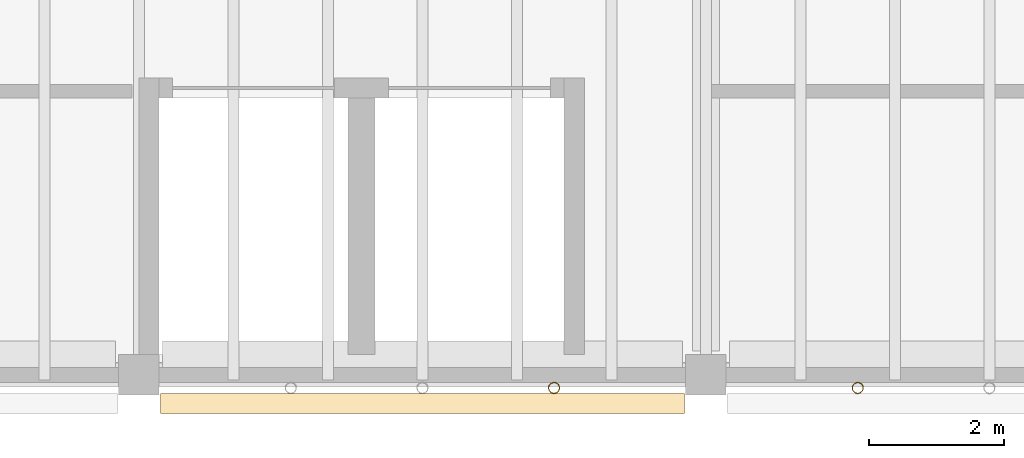
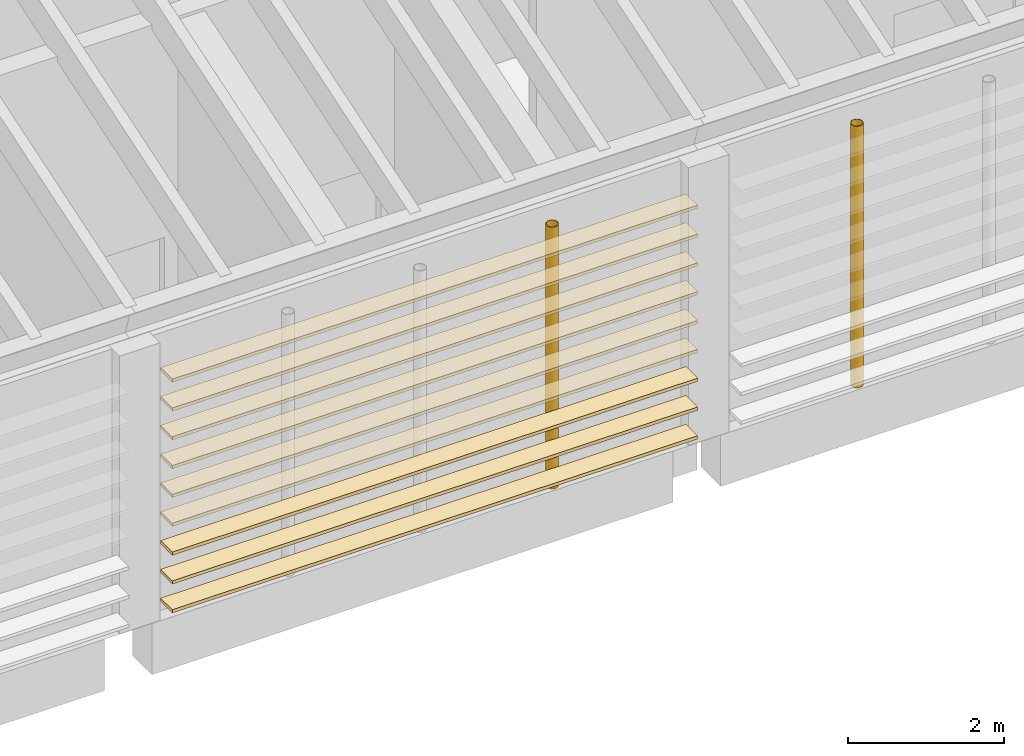
# One storey, part 45 of 59: 9 coverings, 2 shading devices.
"""IFC4 building model written with IfcOpenShell, lengths in metres."""

from ifc_helpers import new_model, si_unit, direction, frame, origin, origin_2d, place, context, subcontext, project, spatial, rectangle, hollow_circle, extrude, material, material_profile, profile_set, type_object, element, save


model = new_model("IFC4")

# Units and contexts
model_context = context("Model", 3, precision=1e-05, world=origin(), true_north=direction((0.0, 1.0)))
body_context = subcontext(model_context, "Body", "Model", "MODEL_VIEW")
ifc_project = project(units=[si_unit("LENGTHUNIT", "METRE"), si_unit("AREAUNIT", "SQUARE_METRE"), si_unit("VOLUMEUNIT", "CUBIC_METRE"), si_unit("PLANEANGLEUNIT", "RADIAN"), si_unit("MASSUNIT", "GRAM", prefix="KILO")], contexts=[model_context])

# Site, building, storey
site_placement = place(None, origin())
site = spatial("IfcSite", under=ifc_project, at=site_placement, CompositionType="ELEMENT")
building_placement = place(site_placement, origin())
building = spatial("IfcBuilding", under=site, at=building_placement, Name="Almond Square Museum", CompositionType="ELEMENT")
storey_placement = place(building_placement, frame((0.0, 0.0, 25.0)))
storey = spatial("IfcBuildingStorey", under=building, at=storey_placement, Name="L04", CompositionType="ELEMENT", Elevation=25.0)

# Shading devices
ifc_material_1 = material(Name="Structural steel S355", Category="steel")
ifc_material_profile_1 = material_profile(ifc_material_1, hollow_circle(Radius=0.084228515625, WallThickness=0.008056640625, at=origin_2d()))
ifc_profile_set_1 = profile_set([ifc_material_profile_1], Name="Structural steel S355")
shading_device_type = type_object("IfcShadingDeviceType", Name="Louvre post CHS 168.3 x 8", PredefinedType="USERDEFINED", material=ifc_profile_set_1)
for number, where, z_axis, x_axis, name in (
    (1, (96.14990234375, -0.194091796875, 0.0), (0.0, 0.0, 1.0), (1.0, 0.0, 0.0), "Louvre screen post"),
    (2, (100.64990234375, -0.194091796875, 0.0), (0.0, 0.0, 1.0), (1.0, 0.0, 0.0), "Louvre screen post"),
):
    element("IfcShadingDevice", number, at=place(storey_placement, frame(where, z_axis=z_axis, x_axis=x_axis)), inside=storey, type_object=shading_device_type, Name=name, ObjectType="POST", PredefinedType="USERDEFINED", context=body_context, shape_type="SweptSolid", body=[
        extrude(hollow_circle(Radius=0.084228515625, WallThickness=0.008056640625, at=origin_2d()), origin(), (0.0, 0.0, 1.0), 4.08447265625),
    ])

# Coverings
ifc_material_2 = material(Name="Cedar timber louvre board", Category="wood")
ifc_material_profile_2 = material_profile(ifc_material_2, rectangle(XDim=0.300048828125, YDim=0.050048828125, at=origin_2d()))
ifc_profile_set_2 = profile_set([ifc_material_profile_2], Name="Cedar timber louvre board")
covering_type = type_object("IfcCoveringType", Name="Louvre screen board 300 x 50", PredefinedType="CLADDING", material=ifc_profile_set_2)
for number, where, z_axis, x_axis, name in (
    (3, (90.320068359375, -0.42431640625, 0.300048828125), (1.0, 0.0, 0.0), (0.0, 1.0, 0.0), "Louvre screen board"),
    (4, (90.320068359375, -0.42431640625, 0.75), (1.0, 0.0, 0.0), (0.0, 1.0, 0.0), "Louvre screen board"),
    (5, (90.320068359375, -0.42431640625, 1.199951171875), (1.0, 0.0, 0.0), (0.0, 1.0, 0.0), "Louvre screen board"),
    (6, (90.320068359375, -0.42431640625, 1.64990234375), (1.0, 0.0, 0.0), (0.0, 1.0, 0.0), "Louvre screen board"),
    (7, (90.320068359375, -0.42431640625, 2.10009765625), (1.0, 0.0, 0.0), (0.0, 1.0, 0.0), "Louvre screen board"),
    (8, (90.320068359375, -0.42431640625, 2.550048828125), (1.0, 0.0, 0.0), (0.0, 1.0, 0.0), "Louvre screen board"),
    (9, (90.320068359375, -0.42431640625, 3.0), (1.0, 0.0, 0.0), (0.0, 1.0, 0.0), "Louvre screen board"),
    (10, (90.320068359375, -0.42431640625, 3.449951171875), (1.0, 0.0, 0.0), (0.0, 1.0, 0.0), "Louvre screen board"),
    (11, (90.320068359375, -0.42431640625, 3.89990234375), (1.0, 0.0, 0.0), (0.0, 1.0, 0.0), "Louvre screen board"),
):
    element("IfcCovering", number, at=place(storey_placement, frame(where, z_axis=z_axis, x_axis=x_axis)), inside=storey, type_object=covering_type, Name=name, PredefinedType="CLADDING", context=body_context, shape_type="SweptSolid", body=[
        extrude(rectangle(XDim=0.300048828125, YDim=0.050048828125, at=origin_2d()), origin(), (0.0, 0.0, 1.0), 7.760009765625),
    ])

save(model, "model.ifc")
